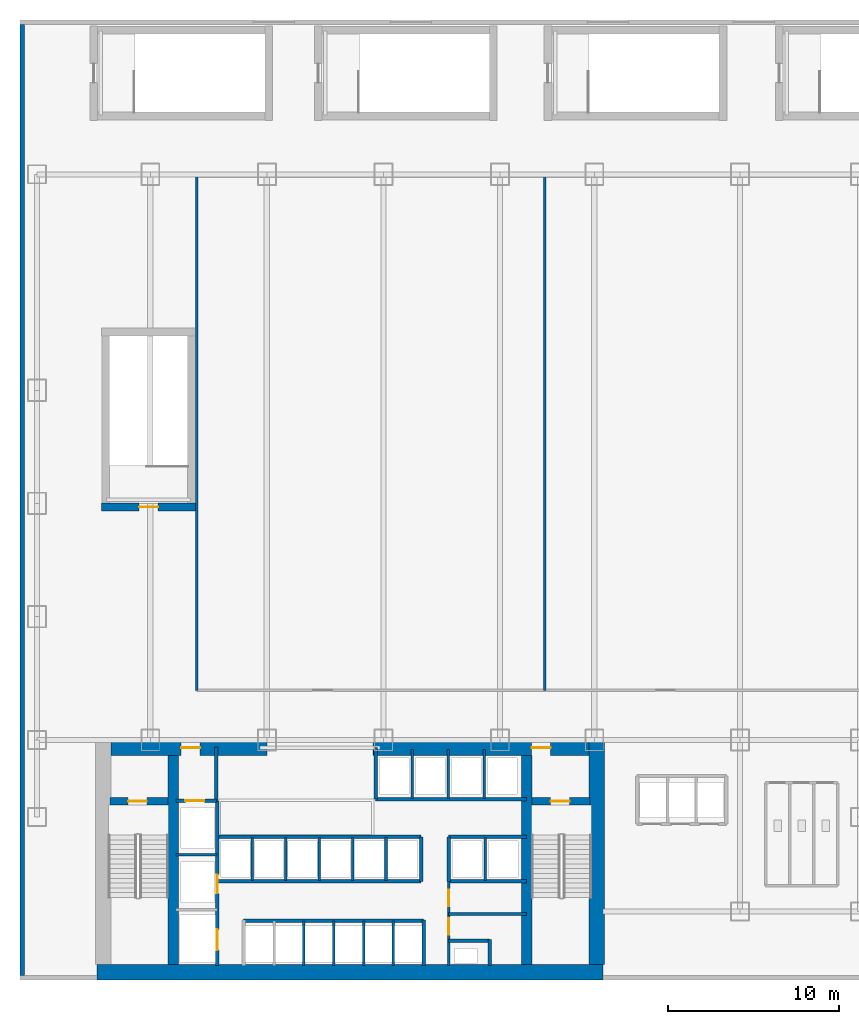
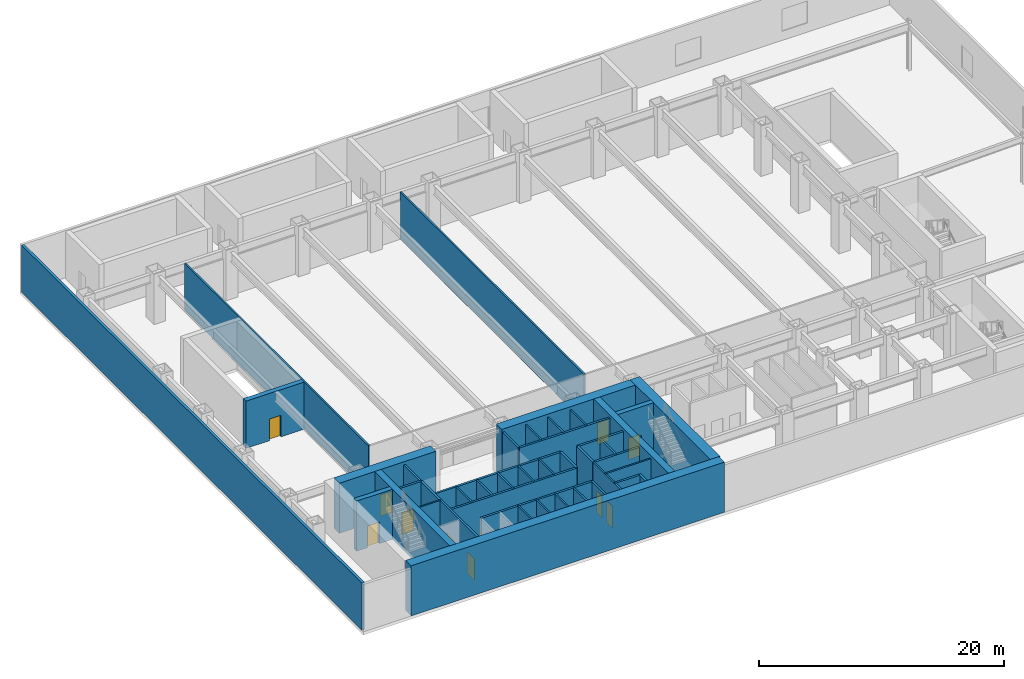
# One storey, part 6 of 14: 43 walls, 10 doors, 10 openings.
"""IFC4 building model written with IfcOpenShell, lengths in metres."""

from ifc_helpers import new_model, si_unit, derived_unit, direction, frame, frame_2d, origin, place, context, subcontext, project, spatial, rectangle, extrude, source, transform, mapped, material, layer, layer_set, type_object, element, fill, save


model = new_model("IFC4")

# Units and contexts
model_context = context("Model", 3, precision=1e-05, world=origin(), true_north=direction((0.0, 1.0)))
body_context = subcontext(model_context, "Body", "Model", "MODEL_VIEW")
ifc_project = project(units=[si_unit("LENGTHUNIT", "METRE"), si_unit("AREAUNIT", "SQUARE_METRE"), si_unit("VOLUMEUNIT", "CUBIC_METRE"), si_unit("PLANEANGLEUNIT", "RADIAN"), si_unit("MASSUNIT", "GRAM", prefix="KILO"), derived_unit("THERMALTRANSMITTANCEUNIT", [(si_unit("POWERUNIT", "WATT"), 1), (si_unit("LENGTHUNIT", "METRE"), -2), (si_unit("THERMODYNAMICTEMPERATUREUNIT", "KELVIN"), -1)])], contexts=[model_context])

# Site, building, storey
site_placement = place(None, origin())
site = spatial("IfcSite", under=ifc_project, at=site_placement, CompositionType="ELEMENT")
building_placement = place(site_placement, origin())
building = spatial("IfcBuilding", under=site, at=building_placement, Name="Skarnbrae Concourse Arena and Tower", CompositionType="ELEMENT")
storey_placement = place(building_placement, frame((0.0, 0.0, 21.0)))
storey = spatial("IfcBuildingStorey", under=building, at=storey_placement, Name="L04", CompositionType="ELEMENT", Elevation=21.0)

# Walls
ifc_material_1 = material(Name="Concrete 70 MPa (C70/85)", Category="concrete")
ifc_layer_1 = layer(ifc_material_1, 0.89990234375)
ifc_layer_set_1 = layer_set([ifc_layer_1], Name="Concrete 70 MPa (C70/85)")
wall_type_1 = type_object("IfcWallType", Name="WALL-CORE-900-C70", PredefinedType="SHEAR", material=ifc_layer_set_1)
shared_shape_1 = source(origin(), body_context, "Body", "SweptSolid", [
    extrude(rectangle(XDim=29.5, YDim=0.89990234375, at=frame_2d((14.75, 0.0))), origin(), (0.0, 0.0, 1.0), 5.0),
])
wall_1_placement = place(storey_placement, frame((4.5, 0.449951171875, 0.0), z_axis=(0.0, 0.0, 1.0), x_axis=(1.0, 0.0, 0.0)))
element("IfcWall", 1, at=wall_1_placement, inside=storey, type_object=wall_type_1, Name="L04 Rear core shear wall CW-S", PredefinedType="SHEAR", context=body_context, shape_type="MappedRepresentation", body=[
    mapped(shared_shape_1, transform((0.0, 0.0, 0.0))),
])
shared_shape_2 = source(origin(), body_context, "Body", "SweptSolid", [
    extrude(rectangle(XDim=13.10009765625, YDim=0.89990234375, at=frame_2d((6.550048828125, 0.0))), origin(), (0.0, 0.0, 1.0), 5.0),
])
wall_2_placement = place(storey_placement, frame((33.64990234375, 0.89990234375, 0.0), z_axis=(0.0, 0.0, 1.0), x_axis=(0.0, 1.0, 0.0)))
element("IfcWall", 2, at=wall_2_placement, inside=storey, type_object=wall_type_1, Name="L04 Rear core shear wall CW-E", PredefinedType="SHEAR", context=body_context, shape_type="MappedRepresentation", body=[
    mapped(shared_shape_2, transform((0.0, 0.0, 0.0))),
])
ifc_layer_2 = layer(ifc_material_1, 0.60009765625)
ifc_layer_set_2 = layer_set([ifc_layer_2], Name="Concrete 70 MPa (C70/85)")
wall_type_2 = type_object("IfcWallType", Name="WALL-CORE-600-C70", PredefinedType="SHEAR", material=ifc_layer_set_2)
shared_shape_3 = source(origin(), body_context, "Body", "SweptSolid", [
    extrude(rectangle(XDim=12.2001953125, YDim=0.60009765625, at=frame_2d((6.10009765625, 0.0))), origin(), (0.0, 0.0, 1.0), 5.0),
])
for number, where, z_axis, x_axis, name in (
    (3, (8.93994140625, 0.89990234375, 0.0), (0.0, 0.0, 1.0), (0.0, 1.0, 0.0), "L04 Rear core shear wall CW-WEB-W"),
    (4, (29.56005859375, 0.89990234375, 0.0), (0.0, 0.0, 1.0), (0.0, 1.0, 0.0), "L04 Rear core shear wall CW-WEB-E"),
):
    element("IfcWall", number, at=place(storey_placement, frame(where, z_axis=z_axis, x_axis=x_axis)), inside=storey, type_object=wall_type_2, Name=name, PredefinedType="SHEAR", context=body_context, shape_type="MappedRepresentation", body=[
        mapped(shared_shape_3, transform((0.0, 0.0, 0.0))),
    ])

# Wall, opening, door
shared_shape_4 = source(origin(), body_context, "Body", "SweptSolid", [
    extrude(rectangle(XDim=9.099853515625, YDim=0.89990234375, at=frame_2d((4.5498046875, 0.0))), origin(), (0.0, 0.0, 1.0), 5.0),
])
wall_3_placement = place(storey_placement, frame((5.300048828125, 13.550048828125, 0.0), z_axis=(0.0, 0.0, 1.0), x_axis=(1.0, 0.0, 0.0)))
wall_3 = element("IfcWall", 5, at=wall_3_placement, inside=storey, type_object=wall_type_1, Name="L04 Rear core shear wall CW-NW", PredefinedType="SHEAR", context=body_context, shape_type="MappedRepresentation", body=[
    mapped(shared_shape_4, transform((0.0, 0.0, 0.0))),
])
opening_1_placement = place(wall_3_placement, frame((4.10009765625, 0.0, 0.0)))
opening_1 = element("IfcOpeningElement", 6, at=opening_1_placement, cuts=wall_3, Name="Opening DT-03", PredefinedType="OPENING", context=body_context, shape_type="SweptSolid", body=[
    extrude(rectangle(XDim=1.10009765625, YDim=2.14990234375, at=frame_2d((0.550048828125, 1.074951171875))), frame((0.0, 0.4599609375, 0.0), z_axis=(0.0, -1.0, 0.0), x_axis=(1.0, 0.0, 0.0)), (0.0, 0.0, 1.0), 0.919921875),
])
ifc_material_2 = material(Name="Steel CSA G40.21 350W", Category="steel")
door_type_1 = type_object("IfcDoorType", Name="DOOR-FIRE-1100-90M", OperationType="NOTDEFINED", PredefinedType="DOOR", material=ifc_material_2)
shared_shape_5 = source(origin(), body_context, "Body", "SweptSolid", [
    extrude(rectangle(XDim=1.10009765625, YDim=2.14990234375, at=frame_2d((0.550048828125, 1.074951171875))), frame((0.0, 0.02490234375, 0.0), z_axis=(0.0, -1.0, 0.0), x_axis=(1.0, 0.0, 0.0)), (0.0, 0.0, 1.0), 0.050048828125),
])
door_1_placement = place(opening_1_placement, origin())
door_1 = element("IfcDoor", 7, at=door_1_placement, inside=storey, type_object=door_type_1, Name="D-0283 Firefighting Lobby Exit Door", OperationType="SINGLE_SWING_RIGHT", OverallHeight=2.14990234375, OverallWidth=1.10009765625, PredefinedType="DOOR", context=body_context, shape_type="MappedRepresentation", body=[
    mapped(shared_shape_5, transform((0.0, 0.0, 0.0))),
])
fill(opening_1, door_1)

shared_shape_6 = source(origin(), body_context, "Body", "SweptSolid", [
    extrude(rectangle(XDim=12.599853515625, YDim=0.89990234375, at=frame_2d((6.2998046875, 0.0))), origin(), (0.0, 0.0, 1.0), 5.0),
])
wall_4_placement = place(storey_placement, frame((20.60009765625, 13.550048828125, 0.0), z_axis=(0.0, 0.0, 1.0), x_axis=(1.0, 0.0, 0.0)))
wall_4 = element("IfcWall", 8, at=wall_4_placement, inside=storey, type_object=wall_type_1, Name="L04 Rear core shear wall CW-NE", PredefinedType="SHEAR", context=body_context, shape_type="MappedRepresentation", body=[
    mapped(shared_shape_6, transform((0.0, 0.0, 0.0))),
])
opening_2_placement = place(wall_4_placement, frame((9.25, 0.0, 0.0)))
opening_2 = element("IfcOpeningElement", 9, at=opening_2_placement, cuts=wall_4, Name="Opening DT-03", PredefinedType="OPENING", context=body_context, shape_type="SweptSolid", body=[
    extrude(rectangle(XDim=1.10009765625, YDim=2.14990234375, at=frame_2d((0.550048828125, 1.074951171875))), frame((0.0, 0.4599609375, 0.0), z_axis=(0.0, -1.0, 0.0), x_axis=(1.0, 0.0, 0.0)), (0.0, 0.0, 1.0), 0.919921875),
])
door_2_placement = place(opening_2_placement, origin())
door_2 = element("IfcDoor", 10, at=door_2_placement, inside=storey, type_object=door_type_1, Name="D-0284 Stair ST-2 Vestibule Door", OperationType="SINGLE_SWING_LEFT", OverallHeight=2.14990234375, OverallWidth=1.10009765625, PredefinedType="DOOR", context=body_context, shape_type="MappedRepresentation", body=[
    mapped(shared_shape_5, transform((0.0, 0.0, 0.0))),
])
fill(opening_2, door_2)

ifc_material_3 = material(Name="Concrete 50 MPa (C50/60)", Category="concrete")
ifc_layer_3 = layer(ifc_material_3, 0.449951171875)
ifc_layer_set_3 = layer_set([ifc_layer_3], Name="Concrete 50 MPa (C50/60)")
wall_type_3 = type_object("IfcWallType", Name="WALL-CORE-450-C50", PredefinedType="SHEAR", material=ifc_layer_set_3)
shared_shape_7 = source(origin(), body_context, "Body", "SweptSolid", [
    extrude(rectangle(XDim=3.389892578125, YDim=0.449951171875, at=frame_2d((1.69482421875, 0.0))), origin(), (0.0, 0.0, 1.0), 5.0),
])
wall_5_placement = place(storey_placement, frame((5.25, 10.419921875, 0.0), z_axis=(0.0, 0.0, 1.0), x_axis=(1.0, 0.0, 0.0)))
wall_5 = element("IfcWall", 11, at=wall_5_placement, inside=storey, type_object=wall_type_3, Name="L04 Rear core shear wall CW-ST1-N", PredefinedType="SHEAR", context=body_context, shape_type="MappedRepresentation", body=[
    mapped(shared_shape_7, transform((0.0, 0.0, 0.0))),
])
opening_3_placement = place(wall_5_placement, frame((1.050048828125, 0.0, 0.0)))
opening_3 = element("IfcOpeningElement", 12, at=opening_3_placement, cuts=wall_5, Name="Opening DT-03", PredefinedType="OPENING", context=body_context, shape_type="SweptSolid", body=[
    extrude(rectangle(XDim=1.10009765625, YDim=2.14990234375, at=frame_2d((0.550048828125, 1.074951171875))), frame((0.0, 0.23486328125, 0.0), z_axis=(0.0, -1.0, 0.0), x_axis=(1.0, 0.0, 0.0)), (0.0, 0.0, 1.0), 0.469970703125),
])
door_3_placement = place(opening_3_placement, frame((1.10009765625, 0.0, 0.0), z_axis=(0.0, 0.0, 1.0), x_axis=(-1.0, 0.0, 0.0)))
door_3 = element("IfcDoor", 13, at=door_3_placement, inside=storey, type_object=door_type_1, Name="D-0281 Stair ST-1 Door", OperationType="SINGLE_SWING_LEFT", OverallHeight=2.14990234375, OverallWidth=1.10009765625, PredefinedType="DOOR", context=body_context, shape_type="MappedRepresentation", body=[
    mapped(shared_shape_5, transform((0.0, 0.0, 0.0))),
])
fill(opening_3, door_3)

wall_6_placement = place(storey_placement, frame((29.860107421875, 10.419921875, 0.0), z_axis=(0.0, 0.0, 1.0), x_axis=(1.0, 0.0, 0.0)))
wall_6 = element("IfcWall", 14, at=wall_6_placement, inside=storey, type_object=wall_type_3, Name="L04 Rear core shear wall CW-ST2-N", PredefinedType="SHEAR", context=body_context, shape_type="MappedRepresentation", body=[
    mapped(shared_shape_7, transform((0.0, 0.0, 0.0))),
])
opening_4_placement = place(wall_6_placement, frame((1.10009765625, 0.0, 0.0)))
opening_4 = element("IfcOpeningElement", 15, at=opening_4_placement, cuts=wall_6, Name="Opening DT-03", PredefinedType="OPENING", context=body_context, shape_type="SweptSolid", body=[
    extrude(rectangle(XDim=1.10009765625, YDim=2.14990234375, at=frame_2d((0.550048828125, 1.074951171875))), frame((0.0, 0.23486328125, 0.0), z_axis=(0.0, -1.0, 0.0), x_axis=(1.0, 0.0, 0.0)), (0.0, 0.0, 1.0), 0.469970703125),
])
door_4_placement = place(opening_4_placement, frame((1.10009765625, 0.0, 0.0), z_axis=(0.0, 0.0, 1.0), x_axis=(-1.0, 0.0, 0.0)))
door_4 = element("IfcDoor", 16, at=door_4_placement, inside=storey, type_object=door_type_1, Name="D-0282 Stair ST-2 Door", OperationType="SINGLE_SWING_RIGHT", OverallHeight=2.14990234375, OverallWidth=1.10009765625, PredefinedType="DOOR", context=body_context, shape_type="MappedRepresentation", body=[
    mapped(shared_shape_5, transform((0.0, 0.0, 0.0))),
])
fill(opening_4, door_4)

# Wall
ifc_material_4 = material(Name="Precast concrete 40 MPa (C40/50)", Category="concrete")
ifc_layer_4 = layer(ifc_material_4, 0.25)
ifc_layer_set_4 = layer_set([ifc_layer_4], Name="Precast concrete 40 MPa (C40/50)")
wall_type_4 = type_object("IfcWallType", Name="WALL-EXT-SPANDREL-250", PredefinedType="STANDARD", material=ifc_layer_set_4)
shared_shape_8 = source(origin(), body_context, "Body", "SweptSolid", [
    extrude(rectangle(XDim=55.5, YDim=0.25, at=frame_2d((27.75, 0.0))), origin(), (0.0, 0.0, 1.0), 4.699951171875),
])
wall_7_placement = place(storey_placement, frame((0.125, 55.75, 0.0), z_axis=(0.0, 0.0, 1.0), x_axis=(0.0, -1.0, 0.0)))
element("IfcWall", 17, at=wall_7_placement, inside=storey, type_object=wall_type_4, Name="L04 Podium exterior precast wall W", PredefinedType="STANDARD", context=body_context, shape_type="MappedRepresentation", body=[
    mapped(shared_shape_8, transform((0.0, 0.0, 0.0))),
])

# Wall, opening, door
shared_shape_9 = source(origin(), body_context, "Body", "SweptSolid", [
    extrude(rectangle(XDim=5.5, YDim=0.449951171875, at=frame_2d((2.75, 0.0))), origin(), (0.0, 0.0, 1.0), 4.699951171875),
])
wall_8_placement = place(storey_placement, frame((4.75, 27.594970703125, 0.0), z_axis=(0.0, 0.0, 1.0), x_axis=(1.0, 0.0, 0.0)))
wall_8 = element("IfcWall", 18, at=wall_8_placement, inside=storey, type_object=wall_type_3, Name="L04 Protected stair shaft wall ST-A3-S", PredefinedType="SHEAR", context=body_context, shape_type="MappedRepresentation", body=[
    mapped(shared_shape_9, transform((0.0, 0.0, 0.0))),
])
opening_5_placement = place(wall_8_placement, frame((2.199951171875, 0.0, 0.0)))
opening_5 = element("IfcOpeningElement", 19, at=opening_5_placement, cuts=wall_8, Name="Opening DT-03", PredefinedType="OPENING", context=body_context, shape_type="SweptSolid", body=[
    extrude(rectangle(XDim=1.10009765625, YDim=2.14990234375, at=frame_2d((0.550048828125, 1.074951171875))), frame((0.0, 0.23486328125, 0.0), z_axis=(0.0, -1.0, 0.0), x_axis=(1.0, 0.0, 0.0)), (0.0, 0.0, 1.0), 0.469970703125),
])
door_5_placement = place(opening_5_placement, origin())
door_5 = element("IfcDoor", 20, at=door_5_placement, inside=storey, type_object=door_type_1, Name="D-0300 Exit Stair ST-A3 Door", OperationType="SINGLE_SWING_LEFT", OverallHeight=2.14990234375, OverallWidth=1.10009765625, PredefinedType="DOOR", context=body_context, shape_type="MappedRepresentation", body=[
    mapped(shared_shape_5, transform((0.0, 0.0, 0.0))),
])
fill(opening_5, door_5)

# Wall
ifc_material_5 = material(Name="Gypsum board on cold-formed steel studs", Category="steel")
ifc_layer_5 = layer(ifc_material_5, 0.199951171875)
ifc_layer_set_5 = layer_set([ifc_layer_5], Name="Gypsum board on cold-formed steel studs")
wall_type_5 = type_object("IfcWallType", Name="WALL-PART-200-2HR", PredefinedType="PARTITIONING", material=ifc_layer_set_5)
shared_shape_10 = source(origin(), body_context, "Body", "SweptSolid", [
    extrude(rectangle(XDim=3.18017578125, YDim=0.199951171875, at=frame_2d((1.590087890625, 0.0))), origin(), (0.0, 0.0, 1.0), 4.699951171875),
])
wall_9_placement = place(storey_placement, frame((11.449951171875, 10.419921875, 0.0), z_axis=(0.0, 0.0, 1.0), x_axis=(0.0, 1.0, 0.0)))
element("IfcWall", 21, at=wall_9_placement, inside=storey, type_object=wall_type_5, Name="L04 Interior partition wall W-L04-FFL-E", PredefinedType="PARTITIONING", context=body_context, shape_type="MappedRepresentation", body=[
    mapped(shared_shape_10, transform((0.0, 0.0, 0.0))),
])

# Wall, opening, door
shared_shape_11 = source(origin(), body_context, "Body", "SweptSolid", [
    extrude(rectangle(XDim=2.349853515625, YDim=0.199951171875, at=frame_2d((1.1748046875, 0.0))), origin(), (0.0, 0.0, 1.0), 4.699951171875),
])
wall_10_placement = place(storey_placement, frame((9.10009765625, 10.449951171875, 0.0), z_axis=(0.0, 0.0, 1.0), x_axis=(1.0, 0.0, 0.0)))
wall_10 = element("IfcWall", 22, at=wall_10_placement, inside=storey, type_object=wall_type_5, Name="L04 Interior partition wall W-L04-FL1-N", PredefinedType="PARTITIONING", context=body_context, shape_type="MappedRepresentation", body=[
    mapped(shared_shape_11, transform((0.0, 0.0, 0.0))),
])
opening_6_placement = place(wall_10_placement, frame((0.550048828125, 0.0, 0.0)))
opening_6 = element("IfcOpeningElement", 23, at=opening_6_placement, cuts=wall_10, Name="Opening LD-01", PredefinedType="OPENING", context=body_context, shape_type="SweptSolid", body=[
    extrude(rectangle(XDim=1.10009765625, YDim=2.14990234375, at=frame_2d((0.550048828125, 1.074951171875))), frame((0.0, 0.10986328125, 0.0), z_axis=(0.0, -1.0, 0.0), x_axis=(1.0, 0.0, 0.0)), (0.0, 0.0, 1.0), 0.219970703125),
])
door_type_2 = type_object("IfcDoorType", Name="DOOR-LIFT-SLIDE-1100", OperationType="SLIDING_TO_LEFT", PredefinedType="DOOR", material=ifc_material_2)
door_6_placement = place(opening_6_placement, origin())
door_6 = element("IfcDoor", 24, at=door_6_placement, inside=storey, type_object=door_type_2, Name="D-0285 Firefighting Lift Landing Door FL-01", OperationType="SLIDING_TO_LEFT", OverallHeight=2.14990234375, OverallWidth=1.10009765625, PredefinedType="DOOR", context=body_context, shape_type="MappedRepresentation", body=[
    mapped(shared_shape_5, transform((0.0, 0.0, 0.0))),
])
fill(opening_6, door_6)

# Wall, openings, doors
shared_shape_12 = source(origin(), body_context, "Body", "SweptSolid", [
    extrude(rectangle(XDim=9.599853515625, YDim=0.199951171875, at=frame_2d((4.7998046875, 0.0))), origin(), (0.0, 0.0, 1.0), 4.699951171875),
])
wall_11_placement = place(storey_placement, frame((11.5, 0.85009765625, 0.0), z_axis=(0.0, 0.0, 1.0), x_axis=(0.0, 1.0, 0.0)))
wall_11 = element("IfcWall", 25, at=wall_11_placement, inside=storey, type_object=wall_type_5, Name="L04 Interior partition wall W-L04-FL-E", PredefinedType="PARTITIONING", context=body_context, shape_type="MappedRepresentation", body=[
    mapped(shared_shape_12, transform((0.0, 0.0, 0.0))),
])
opening_7_placement = place(wall_11_placement, frame((4.199951171875, 0.0, 0.0)))
opening_7 = element("IfcOpeningElement", 26, at=opening_7_placement, cuts=wall_11, Name="Opening LD-01", PredefinedType="OPENING", context=body_context, shape_type="SweptSolid", body=[
    extrude(rectangle(XDim=1.10009765625, YDim=2.14990234375, at=frame_2d((0.550048828125, 1.074951171875))), frame((0.0, 0.10986328125, 0.0), z_axis=(0.0, -1.0, 0.0), x_axis=(1.0, 0.0, 0.0)), (0.0, 0.0, 1.0), 0.219970703125),
])
opening_8_placement = place(wall_11_placement, frame((0.89990234375, 0.0, 0.0)))
opening_8 = element("IfcOpeningElement", 27, at=opening_8_placement, cuts=wall_11, Name="Opening LD-02", PredefinedType="OPENING", context=body_context, shape_type="SweptSolid", body=[
    extrude(rectangle(XDim=1.199951171875, YDim=2.14990234375, at=frame_2d((0.60009765625, 1.074951171875))), frame((0.0, 0.10986328125, 0.0), z_axis=(0.0, -1.0, 0.0), x_axis=(1.0, 0.0, 0.0)), (0.0, 0.0, 1.0), 0.219970703125),
])
door_7_placement = place(opening_7_placement, frame((1.10009765625, 0.0, 0.0), z_axis=(0.0, 0.0, 1.0), x_axis=(-1.0, 0.0, 0.0)))
door_7 = element("IfcDoor", 28, at=door_7_placement, inside=storey, type_object=door_type_2, Name="D-0286 Firefighting Lift Landing Door FL-02", OperationType="SLIDING_TO_LEFT", OverallHeight=2.14990234375, OverallWidth=1.10009765625, PredefinedType="DOOR", context=body_context, shape_type="MappedRepresentation", body=[
    mapped(shared_shape_5, transform((0.0, 0.0, 0.0))),
])
fill(opening_7, door_7)
door_type_3 = type_object("IfcDoorType", Name="DOOR-LIFT-SLIDE-1200", OperationType="SLIDING_TO_LEFT", PredefinedType="DOOR", material=ifc_material_2)
shared_shape_13 = source(origin(), body_context, "Body", "SweptSolid", [
    extrude(rectangle(XDim=1.199951171875, YDim=2.14990234375, at=frame_2d((0.60009765625, 1.074951171875))), frame((0.0, 0.02490234375, 0.0), z_axis=(0.0, -1.0, 0.0), x_axis=(1.0, 0.0, 0.0)), (0.0, 0.0, 1.0), 0.050048828125),
])
door_8_placement = place(opening_8_placement, frame((1.199951171875, 0.0, 0.0), z_axis=(0.0, 0.0, 1.0), x_axis=(-1.0, 0.0, 0.0)))
door_8 = element("IfcDoor", 29, at=door_8_placement, inside=storey, type_object=door_type_3, Name="D-0287 Service Lift Landing Door SV-01", OperationType="SLIDING_TO_LEFT", OverallHeight=2.14990234375, OverallWidth=1.199951171875, PredefinedType="DOOR", context=body_context, shape_type="MappedRepresentation", body=[
    mapped(shared_shape_13, transform((0.0, 0.0, 0.0))),
])
fill(opening_8, door_8)

# Walls
ifc_layer_6 = layer(ifc_material_5, 0.14990234375)
ifc_layer_set_6 = layer_set([ifc_layer_6], Name="Gypsum board on cold-formed steel studs")
wall_type_6 = type_object("IfcWallType", Name="WALL-PART-150", PredefinedType="PARTITIONING", material=ifc_layer_set_6)
shared_shape_14 = source(origin(), body_context, "Body", "SweptSolid", [
    extrude(rectangle(XDim=2.39990234375, YDim=0.14990234375, at=frame_2d((1.199951171875, 0.0))), origin(), (0.0, 0.0, 1.0), 4.699951171875),
])
wall_12_placement = place(storey_placement, frame((9.10009765625, 7.300048828125, 0.0), z_axis=(0.0, 0.0, 1.0), x_axis=(1.0, 0.0, 0.0)))
element("IfcWall", 30, at=wall_12_placement, inside=storey, type_object=wall_type_6, Name="L04 Interior partition wall W-L04-FL-D2", PredefinedType="PARTITIONING", context=body_context, shape_type="MappedRepresentation", body=[
    mapped(shared_shape_14, transform((0.0, 0.0, 0.0))),
])
shared_shape_15 = source(origin(), body_context, "Body", "SweptSolid", [
    extrude(rectangle(XDim=2.64990234375, YDim=0.199951171875, at=frame_2d((1.324951171875, 0.0))), origin(), (0.0, 0.0, 1.0), 4.699951171875),
])
wall_13_placement = place(storey_placement, frame((23.550048828125, 0.85009765625, 0.0), z_axis=(0.0, 0.0, 1.0), x_axis=(0.0, 1.0, 0.0)))
element("IfcWall", 31, at=wall_13_placement, inside=storey, type_object=wall_type_5, Name="L04 Interior partition wall W-L04-B1-E", PredefinedType="PARTITIONING", context=body_context, shape_type="MappedRepresentation", body=[
    mapped(shared_shape_15, transform((0.0, 0.0, 0.0))),
])
shared_shape_16 = source(origin(), body_context, "Body", "SweptSolid", [
    extrude(rectangle(XDim=11.849853515625, YDim=0.199951171875, at=frame_2d((5.9248046875, 0.0))), origin(), (0.0, 0.0, 1.0), 4.699951171875),
])
for number, where, z_axis, x_axis, name in (
    (32, (11.550048828125, 5.75, 0.0), (0.0, 0.0, 1.0), (1.0, 0.0, 0.0), "L04 Interior partition wall W-L04-B2-S"),
    (33, (11.550048828125, 8.35009765625, 0.0), (0.0, 0.0, 1.0), (1.0, 0.0, 0.0), "L04 Interior partition wall W-L04-B2-N"),
):
    element("IfcWall", number, at=place(storey_placement, frame(where, z_axis=z_axis, x_axis=x_axis)), inside=storey, type_object=wall_type_5, Name=name, PredefinedType="PARTITIONING", context=body_context, shape_type="MappedRepresentation", body=[
        mapped(shared_shape_16, transform((0.0, 0.0, 0.0))),
    ])
shared_shape_17 = source(origin(), body_context, "Body", "SweptSolid", [
    extrude(rectangle(XDim=2.60009765625, YDim=0.199951171875, at=frame_2d((1.300048828125, 0.0))), origin(), (0.0, 0.0, 1.0), 4.699951171875),
])
for number, where, z_axis, x_axis, name in (
    (34, (23.39990234375, 5.75, 0.0), (0.0, 0.0, 1.0), (0.0, 1.0, 0.0), "L04 Interior partition wall W-L04-B2-E"),
    (35, (25.0, 5.75, 0.0), (0.0, 0.0, 1.0), (0.0, 1.0, 0.0), "L04 Interior partition wall W-L04-B3S-W"),
):
    element("IfcWall", number, at=place(storey_placement, frame(where, z_axis=z_axis, x_axis=x_axis)), inside=storey, type_object=wall_type_5, Name=name, PredefinedType="PARTITIONING", context=body_context, shape_type="MappedRepresentation", body=[
        mapped(shared_shape_17, transform((0.0, 0.0, 0.0))),
    ])

# Wall, openings, doors
ifc_layer_7 = layer(ifc_material_5, 0.14990234375)
ifc_layer_set_7 = layer_set([ifc_layer_7], Name="Gypsum board on cold-formed steel studs")
wall_type_7 = type_object("IfcWallType", Name="WALL-PART-150-1HR", PredefinedType="PARTITIONING", material=ifc_layer_set_7)
shared_shape_18 = source(origin(), body_context, "Body", "SweptSolid", [
    extrude(rectangle(XDim=4.89990234375, YDim=0.14990234375, at=frame_2d((2.449951171875, 0.0))), origin(), (0.0, 0.0, 1.0), 4.699951171875),
])
wall_14_placement = place(storey_placement, frame((25.0, 0.85009765625, 0.0), z_axis=(0.0, 0.0, 1.0), x_axis=(0.0, 1.0, 0.0)))
wall_14 = element("IfcWall", 36, at=wall_14_placement, inside=storey, type_object=wall_type_7, Name="L04 Interior partition wall W-L04-CSV-W", PredefinedType="PARTITIONING", context=body_context, shape_type="MappedRepresentation", body=[
    mapped(shared_shape_18, transform((0.0, 0.0, 0.0))),
])
opening_9_placement = place(wall_14_placement, frame((1.800048828125, 0.0, 0.0)))
opening_9 = element("IfcOpeningElement", 37, at=opening_9_placement, cuts=wall_14, Name="Opening DT-04", PredefinedType="OPENING", context=body_context, shape_type="SweptSolid", body=[
    extrude(rectangle(XDim=0.949951171875, YDim=2.14990234375, at=frame_2d((0.47509765625, 1.074951171875))), frame((0.0, 0.0849609375, 0.0), z_axis=(0.0, -1.0, 0.0), x_axis=(1.0, 0.0, 0.0)), (0.0, 0.0, 1.0), 0.169921875),
])
opening_10_placement = place(wall_14_placement, frame((3.449951171875, 0.0, 0.0)))
opening_10 = element("IfcOpeningElement", 38, at=opening_10_placement, cuts=wall_14, Name="Opening DT-04", PredefinedType="OPENING", context=body_context, shape_type="SweptSolid", body=[
    extrude(rectangle(XDim=0.949951171875, YDim=2.14990234375, at=frame_2d((0.47509765625, 1.074951171875))), frame((0.0, 0.0849609375, 0.0), z_axis=(0.0, -1.0, 0.0), x_axis=(1.0, 0.0, 0.0)), (0.0, 0.0, 1.0), 0.169921875),
])
door_type_4 = type_object("IfcDoorType", Name="DOOR-INT-950-45M", OperationType="NOTDEFINED", PredefinedType="DOOR", material=ifc_material_2)
shared_shape_19 = source(origin(), body_context, "Body", "SweptSolid", [
    extrude(rectangle(XDim=0.949951171875, YDim=2.14990234375, at=frame_2d((0.47509765625, 1.074951171875))), frame((0.0, 0.02490234375, 0.0), z_axis=(0.0, -1.0, 0.0), x_axis=(1.0, 0.0, 0.0)), (0.0, 0.0, 1.0), 0.050048828125),
])
door_9_placement = place(opening_9_placement, origin())
door_9 = element("IfcDoor", 39, at=door_9_placement, inside=storey, type_object=door_type_4, Name="D-0288 Electrical Switch Room Door", OperationType="SINGLE_SWING_LEFT", OverallHeight=2.14990234375, OverallWidth=0.949951171875, PredefinedType="DOOR", context=body_context, shape_type="MappedRepresentation", body=[
    mapped(shared_shape_19, transform((0.0, 0.0, 0.0))),
])
fill(opening_9, door_9)
door_10_placement = place(opening_10_placement, origin())
door_10 = element("IfcDoor", 40, at=door_10_placement, inside=storey, type_object=door_type_4, Name="D-0289 Cleaner Store Door", OperationType="SINGLE_SWING_RIGHT", OverallHeight=2.14990234375, OverallWidth=0.949951171875, PredefinedType="DOOR", context=body_context, shape_type="MappedRepresentation", body=[
    mapped(shared_shape_19, transform((0.0, 0.0, 0.0))),
])
fill(opening_10, door_10)

# Walls
shared_shape_20 = source(origin(), body_context, "Body", "SweptSolid", [
    extrude(rectangle(XDim=2.39990234375, YDim=0.199951171875, at=frame_2d((1.199951171875, 0.0))), origin(), (0.0, 0.0, 1.0), 4.699951171875),
])
wall_15_placement = place(storey_placement, frame((25.0, 2.300048828125, 0.0), z_axis=(0.0, 0.0, 1.0), x_axis=(1.0, 0.0, 0.0)))
element("IfcWall", 41, at=wall_15_placement, inside=storey, type_object=wall_type_5, Name="L04 Interior partition wall W-L04-MEP-N", PredefinedType="PARTITIONING", context=body_context, shape_type="MappedRepresentation", body=[
    mapped(shared_shape_20, transform((0.0, 0.0, 0.0))),
])
shared_shape_21 = source(origin(), body_context, "Body", "SweptSolid", [
    extrude(rectangle(XDim=1.5, YDim=0.199951171875, at=frame_2d((0.75, 0.0))), origin(), (0.0, 0.0, 1.0), 4.699951171875),
])
wall_16_placement = place(storey_placement, frame((27.39990234375, 0.85009765625, 0.0), z_axis=(0.0, 0.0, 1.0), x_axis=(0.0, 1.0, 0.0)))
element("IfcWall", 42, at=wall_16_placement, inside=storey, type_object=wall_type_5, Name="L04 Interior partition wall W-L04-MEP-E", PredefinedType="PARTITIONING", context=body_context, shape_type="MappedRepresentation", body=[
    mapped(shared_shape_21, transform((0.0, 0.0, 0.0))),
])
shared_shape_22 = source(origin(), body_context, "Body", "SweptSolid", [
    extrude(rectangle(XDim=4.550048828125, YDim=0.14990234375, at=frame_2d((2.27490234375, 0.0))), origin(), (0.0, 0.0, 1.0), 4.699951171875),
])
wall_17_placement = place(storey_placement, frame((25.0, 3.85009765625, 0.0), z_axis=(0.0, 0.0, 1.0), x_axis=(1.0, 0.0, 0.0)))
element("IfcWall", 43, at=wall_17_placement, inside=storey, type_object=wall_type_6, Name="L04 Interior partition wall W-L04-CSV-H", PredefinedType="PARTITIONING", context=body_context, shape_type="MappedRepresentation", body=[
    mapped(shared_shape_22, transform((0.0, 0.0, 0.0))),
])
shared_shape_23 = source(origin(), body_context, "Body", "SweptSolid", [
    extrude(rectangle(XDim=10.5, YDim=0.199951171875, at=frame_2d((5.25, 0.0))), origin(), (0.0, 0.0, 1.0), 4.699951171875),
])
wall_18_placement = place(storey_placement, frame((13.050048828125, 3.449951171875, 0.0), z_axis=(0.0, 0.0, 1.0), x_axis=(1.0, 0.0, 0.0)))
element("IfcWall", 44, at=wall_18_placement, inside=storey, type_object=wall_type_5, Name="L04 Interior partition wall W-L04-B1-N", PredefinedType="PARTITIONING", context=body_context, shape_type="MappedRepresentation", body=[
    mapped(shared_shape_23, transform((0.0, 0.0, 0.0))),
])
shared_shape_24 = source(origin(), body_context, "Body", "SweptSolid", [
    extrude(rectangle(XDim=2.599853515625, YDim=0.14990234375, at=frame_2d((1.2998046875, 0.0))), origin(), (0.0, 0.0, 1.0), 4.699951171875),
])
for number, where, z_axis, x_axis, name in (
    (45, (16.56005859375, 0.85009765625, 0.0), (0.0, 0.0, 1.0), (0.0, 1.0, 0.0), "L04 Interior partition wall W-L04-B1-P2"),
    (46, (18.300048828125, 0.85009765625, 0.0), (0.0, 0.0, 1.0), (0.0, 1.0, 0.0), "L04 Interior partition wall W-L04-B1-P3"),
    (47, (20.0400390625, 0.85009765625, 0.0), (0.0, 0.0, 1.0), (0.0, 1.0, 0.0), "L04 Interior partition wall W-L04-B1-P4"),
    (48, (21.780029296875, 0.85009765625, 0.0), (0.0, 0.0, 1.0), (0.0, 1.0, 0.0), "L04 Interior partition wall W-L04-B1-P5"),
):
    element("IfcWall", number, at=place(storey_placement, frame(where, z_axis=z_axis, x_axis=x_axis)), inside=storey, type_object=wall_type_6, Name=name, PredefinedType="PARTITIONING", context=body_context, shape_type="MappedRepresentation", body=[
        mapped(shared_shape_24, transform((0.0, 0.0, 0.0))),
    ])
shared_shape_25 = source(origin(), body_context, "Body", "SweptSolid", [
    extrude(rectangle(XDim=2.5, YDim=0.14990234375, at=frame_2d((1.25, 0.0))), origin(), (0.0, 0.0, 1.0), 4.699951171875),
])
for number, where, z_axis, x_axis, name in (
    (49, (13.550048828125, 5.800048828125, 0.0), (0.0, 0.0, 1.0), (0.0, 1.0, 0.0), "L04 Interior partition wall W-L04-B2-P1"),
    (50, (15.5, 5.800048828125, 0.0), (0.0, 0.0, 1.0), (0.0, 1.0, 0.0), "L04 Interior partition wall W-L04-B2-P2"),
    (51, (17.449951171875, 5.800048828125, 0.0), (0.0, 0.0, 1.0), (0.0, 1.0, 0.0), "L04 Interior partition wall W-L04-B2-P3"),
    (52, (19.39990234375, 5.800048828125, 0.0), (0.0, 0.0, 1.0), (0.0, 1.0, 0.0), "L04 Interior partition wall W-L04-B2-P4"),
    (53, (21.35009765625, 5.800048828125, 0.0), (0.0, 0.0, 1.0), (0.0, 1.0, 0.0), "L04 Interior partition wall W-L04-B2-P5"),
    (54, (27.139892578125, 5.800048828125, 0.0), (0.0, 0.0, 1.0), (0.0, 1.0, 0.0), "L04 Interior partition wall W-L04-B3S-P1"),
):
    element("IfcWall", number, at=place(storey_placement, frame(where, z_axis=z_axis, x_axis=x_axis)), inside=storey, type_object=wall_type_6, Name=name, PredefinedType="PARTITIONING", context=body_context, shape_type="MappedRepresentation", body=[
        mapped(shared_shape_25, transform((0.0, 0.0, 0.0))),
    ])
shared_shape_26 = source(origin(), body_context, "Body", "SweptSolid", [
    extrude(rectangle(XDim=8.800048828125, YDim=0.199951171875, at=frame_2d((4.39990234375, 0.0))), origin(), (0.0, 0.0, 1.0), 4.699951171875),
])
wall_19_placement = place(storey_placement, frame((20.75, 10.550048828125, 0.0), z_axis=(0.0, 0.0, 1.0), x_axis=(1.0, 0.0, 0.0)))
element("IfcWall", 55, at=wall_19_placement, inside=storey, type_object=wall_type_5, Name="L04 Interior partition wall W-L04-B3N-S", PredefinedType="PARTITIONING", context=body_context, shape_type="MappedRepresentation", body=[
    mapped(shared_shape_26, transform((0.0, 0.0, 0.0))),
])
shared_shape_27 = source(origin(), body_context, "Body", "SweptSolid", [
    extrude(rectangle(XDim=3.0, YDim=0.199951171875, at=frame_2d((1.5, 0.0))), origin(), (0.0, 0.0, 1.0), 4.699951171875),
])
wall_20_placement = place(storey_placement, frame((20.75, 10.550048828125, 0.0), z_axis=(0.0, 0.0, 1.0), x_axis=(0.0, 1.0, 0.0)))
element("IfcWall", 56, at=wall_20_placement, inside=storey, type_object=wall_type_5, Name="L04 Interior partition wall W-L04-B3N-W", PredefinedType="PARTITIONING", context=body_context, shape_type="MappedRepresentation", body=[
    mapped(shared_shape_27, transform((0.0, 0.0, 0.0))),
])
shared_shape_28 = source(origin(), body_context, "Body", "SweptSolid", [
    extrude(rectangle(XDim=2.849853515625, YDim=0.14990234375, at=frame_2d((1.4248046875, 0.0))), origin(), (0.0, 0.0, 1.0), 4.699951171875),
])
for number, where, z_axis, x_axis, name in (
    (57, (22.889892578125, 10.60009765625, 0.0), (0.0, 0.0, 1.0), (0.0, 1.0, 0.0), "L04 Interior partition wall W-L04-B3N-P1"),
    (58, (24.989990234375, 10.60009765625, 0.0), (0.0, 0.0, 1.0), (0.0, 1.0, 0.0), "L04 Interior partition wall W-L04-B3N-P2"),
    (59, (27.090087890625, 10.60009765625, 0.0), (0.0, 0.0, 1.0), (0.0, 1.0, 0.0), "L04 Interior partition wall W-L04-B3N-P3"),
):
    element("IfcWall", number, at=place(storey_placement, frame(where, z_axis=z_axis, x_axis=x_axis)), inside=storey, type_object=wall_type_6, Name=name, PredefinedType="PARTITIONING", context=body_context, shape_type="MappedRepresentation", body=[
        mapped(shared_shape_28, transform((0.0, 0.0, 0.0))),
    ])
shared_shape_29 = source(origin(), body_context, "Body", "SweptSolid", [
    extrude(rectangle(XDim=4.550048828125, YDim=0.199951171875, at=frame_2d((2.27490234375, 0.0))), origin(), (0.0, 0.0, 1.0), 4.699951171875),
])
for number, where, z_axis, x_axis, name in (
    (60, (25.0, 8.35009765625, 0.0), (0.0, 0.0, 1.0), (1.0, 0.0, 0.0), "L04 Interior partition wall W-L04-B3S-N"),
    (61, (25.0, 5.75, 0.0), (0.0, 0.0, 1.0), (1.0, 0.0, 0.0), "L04 Interior partition wall W-L04-B3S-S"),
):
    element("IfcWall", number, at=place(storey_placement, frame(where, z_axis=z_axis, x_axis=x_axis)), inside=storey, type_object=wall_type_5, Name=name, PredefinedType="PARTITIONING", context=body_context, shape_type="MappedRepresentation", body=[
        mapped(shared_shape_29, transform((0.0, 0.0, 0.0))),
    ])
shared_shape_30 = source(origin(), body_context, "Body", "SweptSolid", [
    extrude(rectangle(XDim=30.0, YDim=0.14990234375, at=frame_2d((15.0, 0.0))), origin(), (0.0, 0.0, 1.0), 4.699951171875),
])
for number, where, z_axis, x_axis, name in (
    (62, (10.300048828125, 16.89990234375, 0.0), (0.0, 0.0, 1.0), (0.0, 1.0, 0.0), "L04 Interior partition wall W-L04-CW"),
    (63, (30.60009765625, 16.89990234375, 0.0), (0.0, 0.0, 1.0), (0.0, 1.0, 0.0), "L04 Interior partition wall W-L04-MID"),
):
    element("IfcWall", number, at=place(storey_placement, frame(where, z_axis=z_axis, x_axis=x_axis)), inside=storey, type_object=wall_type_7, Name=name, PredefinedType="PARTITIONING", context=body_context, shape_type="MappedRepresentation", body=[
        mapped(shared_shape_30, transform((0.0, 0.0, 0.0))),
    ])

save(model, "model.ifc")
